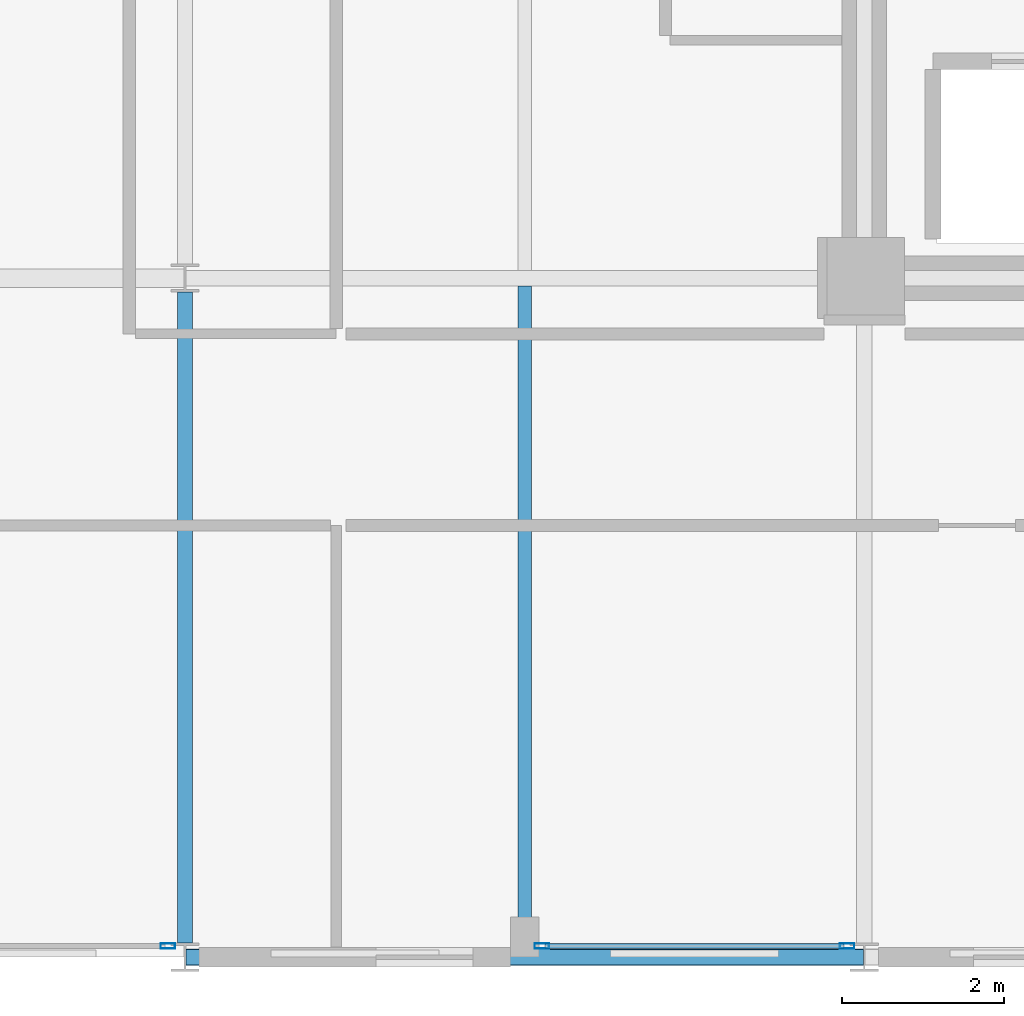
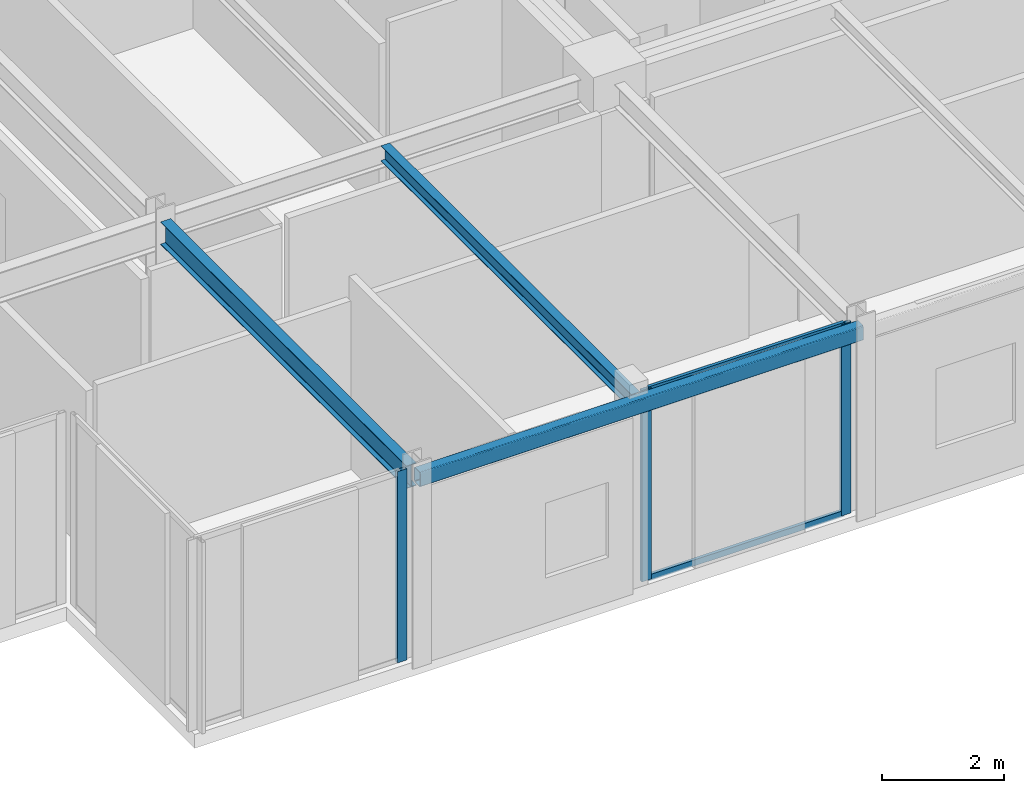
# One storey, part 6 of 29: 5 members, 3 beams, 2 elements without a shape of their own.
"""IFC4 building model written with IfcOpenShell, lengths in metres."""

import ifcopenshell
import ifcopenshell.guid

model = None  # the IFC model being written
_history = None  # IfcOwnerHistory: only IFC2X3 demands one
_inside = {}  # id of a spatial element -> (the spatial element, [elements in it])
_under = {}  # id of a project, library or spatial element -> (it, [spatial elements below it])
_declared = {}  # id of a project -> (the project, [libraries it declares])
_typed = {}  # id of a type object -> (the type object, [elements of that type])
_made_of = {}  # id of a material, layer set ... -> (it, [elements and type objects made of it])


def new_model(schema):
    """Start an empty IFC model of exactly this schema.

    Asked for "IFC4X3", IfcOpenShell would pick the latest addendum, in which some entities
    have other attributes; the version numbers below select the first issue.
    IFC2X3 requires an IfcOwnerHistory on every rooted entity: one is made here for all.
    """
    global model, _history
    if schema == "IFC4X3":
        model = ifcopenshell.file(schema_version=(4, 3, 0, 0))
    else:
        model = ifcopenshell.file(schema=schema)
    _inside.clear()
    _under.clear()
    _declared.clear()
    _typed.clear()
    _made_of.clear()
    _history = None
    if model.schema == "IFC2X3":
        org = make("IfcOrganization", Name="unknown")
        user = make(
            "IfcPersonAndOrganization",
            ThePerson=make("IfcPerson", FamilyName="unknown"),
            TheOrganization=org,
        )
        app = make(
            "IfcApplication",
            ApplicationDeveloper=org,
            Version="unknown",
            ApplicationFullName="unknown",
            ApplicationIdentifier="unknown",
        )
        _history = make(
            "IfcOwnerHistory",
            OwningUser=user,
            OwningApplication=app,
            ChangeAction="ADDED",
            CreationDate=0,
        )
    return model


def make(cls, **values):
    """One entity of the class cls with the attributes given. An attribute that is None is left unset."""
    return model.create_entity(
        cls, **{name: value for name, value in values.items() if value is not None}
    )


def rooted(cls, **values):
    """An entity with a GlobalId (a new one), such as an element, a storey or a relation."""
    return make(cls, GlobalId=ifcopenshell.guid.new(), OwnerHistory=_history, **values)


def si_unit(unit_type, name, prefix=None):
    """IfcSIUnit, for example si_unit("LENGTHUNIT", "METRE", prefix="MILLI")."""
    return make("IfcSIUnit", UnitType=unit_type, Prefix=prefix, Name=name)


def assignment(units):
    """IfcUnitAssignment: the units of a project."""
    return None if units is None else make("IfcUnitAssignment", Units=units)


def point(xyz):
    """IfcCartesianPoint."""
    return None if xyz is None else make("IfcCartesianPoint", Coordinates=xyz)


def direction(xyz):
    """IfcDirection."""
    return None if xyz is None else make("IfcDirection", DirectionRatios=xyz)


def frame(location, z_axis=None, x_axis=None):
    """IfcAxis2Placement3D, a coordinate frame: its origin and axes. An axis left out is left unset."""
    return make(
        "IfcAxis2Placement3D",
        Location=point(location),
        Axis=direction(z_axis),
        RefDirection=direction(x_axis),
    )


def frame_2d(location, x_axis=None):
    """IfcAxis2Placement2D, a coordinate frame in the plane: its origin and x axis."""
    return make(
        "IfcAxis2Placement2D", Location=point(location), RefDirection=direction(x_axis)
    )


def origin():
    """The frame at (0, 0, 0) with its axes left unset."""
    return frame((0.0, 0.0, 0.0))


def origin_2d():
    """The frame at (0, 0) in the plane with its x axis left unset."""
    return frame_2d((0.0, 0.0))


def place(relative_to, where):
    """IfcLocalPlacement: puts the frame where relative to a parent placement (None: the world)."""
    return make(
        "IfcLocalPlacement", PlacementRelTo=relative_to, RelativePlacement=where
    )


def context(
    kind, dimensions, precision=None, world=None, true_north=None, identifier=None
):
    """IfcGeometricRepresentationContext, for example the 3D "Model" context."""
    return make(
        "IfcGeometricRepresentationContext",
        ContextIdentifier=identifier,
        ContextType=kind,
        CoordinateSpaceDimension=dimensions,
        Precision=precision,
        WorldCoordinateSystem=world,
        TrueNorth=true_north,
    )


def subcontext(parent, identifier, kind, view, scale=None):
    """IfcGeometricRepresentationSubContext, for example "Body" below "Model"."""
    return make(
        "IfcGeometricRepresentationSubContext",
        ContextIdentifier=identifier,
        ContextType=kind,
        ParentContext=parent,
        TargetScale=scale,
        TargetView=view,
    )


def project(units=None, contexts=None):
    """IfcProject with its units and contexts."""
    return rooted(
        "IfcProject",
        Name="project",
        RepresentationContexts=contexts,
        UnitsInContext=assignment(units),
    )


def spatial(cls, under=None, at=None, **own):
    """A site, building, storey or space (cls), placed at a placement, below another one or the project."""
    s = rooted(cls, ObjectPlacement=at, **own)
    if under is not None:
        _under.setdefault(under.id(), (under, []))[1].append(s)
    return s


def profile(cls, at=None, kind="AREA", **sizes):
    """A parametric profile (cls). Its sizes go by their IFC names, for example OverallWidth=200.0."""
    return make(cls, ProfileType=kind, Position=at, **sizes)


def hollow_rectangle(**sizes):
    """IfcRectangleHollowProfileDef."""
    return profile("IfcRectangleHollowProfileDef", **sizes)


def i_section(**sizes):
    """IfcIShapeProfileDef."""
    return profile("IfcIShapeProfileDef", **sizes)


def extrude(swept, where, along, depth):
    """IfcExtrudedAreaSolid: the profile swept, set in the frame where, extruded along a direction by depth."""
    return make(
        "IfcExtrudedAreaSolid",
        SweptArea=swept,
        Position=where,
        ExtrudedDirection=direction(along),
        Depth=depth,
    )


def shape(context_of_items, identifier, shape_type, items):
    """IfcShapeRepresentation: the items that make up one representation, for example the "Body"."""
    return make(
        "IfcShapeRepresentation",
        ContextOfItems=context_of_items,
        RepresentationIdentifier=identifier,
        RepresentationType=shape_type,
        Items=items,
    )


def material(Name=None, Category=None):
    """IfcMaterial."""
    return make("IfcMaterial", Name=Name, Category=Category)


def layer(
    of_material, thickness, ventilated=None, Name=None, Category=None, Priority=None
):
    """IfcMaterialLayer: one layer of a wall or slab, of a material (None: an air gap)."""
    return make(
        "IfcMaterialLayer",
        Material=of_material,
        LayerThickness=thickness,
        IsVentilated=ventilated,
        Name=Name,
        Category=Category,
        Priority=Priority,
    )


def layer_set(layers, Name=None):
    """IfcMaterialLayerSet."""
    return make("IfcMaterialLayerSet", MaterialLayers=layers, LayerSetName=Name)


def material_profile(
    of_material, cross_section, Name=None, Category=None, Priority=None
):
    """IfcMaterialProfile: a cross section and its material."""
    return make(
        "IfcMaterialProfile",
        Name=Name,
        Material=of_material,
        Profile=cross_section,
        Priority=Priority,
        Category=Category,
    )


def profile_set(profiles, Name=None, composite=None):
    """IfcMaterialProfileSet."""
    return make(
        "IfcMaterialProfileSet",
        Name=Name,
        MaterialProfiles=profiles,
        CompositeProfile=composite,
    )


def made_of(thing, what):
    """Note that an element or type object is made of a material, layer set ...; save() writes the relation."""
    if what is not None:
        _made_of.setdefault(what.id(), (what, []))[1].append(thing)
    return thing


def type_object(cls, material=None, **own):
    """A type object (cls), such as IfcWallType, which elements share."""
    return made_of(rooted(cls, **own), material)


def element(
    cls,
    number,
    at=None,
    inside=None,
    cuts=None,
    type_object=None,
    material=None,
    context=None,
    identifier="Body",
    shape_type=None,
    held_by="IfcProductDefinitionShape",
    body=None,
    shapes=None,
    **own,
):
    """One element of the class cls, such as IfcWall. Its Tag is "e" and its number.

    at: its placement. inside: the storey or other place that contains it. cuts: it is an
    opening in that element (IfcRelVoidsElement). A single representation is given by context,
    identifier, shape_type and body (its items); several are given by shapes. held_by: the class
    of the entity that holds the representations. save() writes the other relations.
    """
    e = rooted(cls, Tag="e%d" % number, ObjectPlacement=at, **own)
    if body is not None:
        shapes = [shape(context, identifier, shape_type, body)]
    if shapes is not None:
        e.Representation = make(held_by, Representations=shapes)
    if inside is not None:
        _inside.setdefault(inside.id(), (inside, []))[1].append(e)
    if cuts is not None:
        rooted(
            "IfcRelVoidsElement", RelatingBuildingElement=cuts, RelatedOpeningElement=e
        )
    if type_object is not None:
        _typed.setdefault(type_object.id(), (type_object, []))[1].append(e)
    return made_of(e, material)


def aggregate(whole, parts):
    """IfcRelAggregates: a whole, such as a stair, and the parts it consists of."""
    return rooted("IfcRelAggregates", RelatingObject=whole, RelatedObjects=parts)


def save(model, path):
    """Write the relations noted so far, then the file.

    IfcRelAggregates (storeys below a building ...), IfcRelContainedInSpatialStructure (elements
    in a storey), IfcRelDefinesByType, IfcRelAssociatesMaterial and IfcRelDeclares: one each for
    every whole, place, type object, material and project.
    """
    for whole, parts in _under.values():
        aggregate(whole, parts)
    for where, things in _inside.values():
        rooted(
            "IfcRelContainedInSpatialStructure",
            RelatedElements=things,
            RelatingStructure=where,
        )
    for kind, things in _typed.values():
        rooted("IfcRelDefinesByType", RelatedObjects=things, RelatingType=kind)
    for what, things in _made_of.values():
        rooted("IfcRelAssociatesMaterial", RelatedObjects=things, RelatingMaterial=what)
    for by, libraries in _declared.values():
        rooted("IfcRelDeclares", RelatingContext=by, RelatedDefinitions=libraries)
    model.write(path)


model = new_model("IFC4")

# Units and contexts
model_context = context("Model", 3, precision=1e-05, world=origin(), true_north=direction((0.0, 1.0)))
body_context = subcontext(model_context, "Body", "Model", "MODEL_VIEW")
ifc_project = project(units=[si_unit("LENGTHUNIT", "METRE"), si_unit("AREAUNIT", "SQUARE_METRE"), si_unit("VOLUMEUNIT", "CUBIC_METRE"), si_unit("PLANEANGLEUNIT", "RADIAN"), si_unit("MASSUNIT", "GRAM", prefix="KILO")], contexts=[model_context])

# Site, building, storey
site_placement = place(None, origin())
site = spatial("IfcSite", under=ifc_project, at=site_placement, CompositionType="ELEMENT")
building_placement = place(site_placement, origin())
building = spatial("IfcBuilding", under=site, at=building_placement, Name="Nerrivon Quay Data Exchange", CompositionType="ELEMENT")
storey_placement = place(building_placement, frame((0.0, 0.0, 175.5)))
storey = spatial("IfcBuildingStorey", under=building, at=storey_placement, Name="L41", CompositionType="ELEMENT", Elevation=175.5)

# Beams
ifc_material_1 = material(Name="Steel Grade 350", Category="steel")
ifc_material_profile_1 = material_profile(ifc_material_1, i_section(OverallWidth=0.18994140625, OverallDepth=0.4541015625, WebThickness=0.008544921875, FlangeThickness=0.0126953125, FilletRadius=0.011474609375, at=origin_2d()), Name="460UB67.1")
ifc_profile_set_1 = profile_set([ifc_material_profile_1], Name="Steel Grade 350")
beam_type_1 = type_object("IfcBeamType", Name="BM-G6-460UB67", PredefinedType="BEAM", material=ifc_profile_set_1)
beam_1_placement = place(storey_placement, frame((8.39990234375, 0.175048828125, 3.597900390625), z_axis=(0.0, 1.0, 0.0), x_axis=(-1.0, 0.0, 0.0)))
element("IfcBeam", 1, at=beam_1_placement, inside=storey, type_object=beam_type_1, Name="L41 NS Girder X=8.4 (0.0..8.4)", PredefinedType="BEAM", context=body_context, shape_type="SweptSolid", body=[
    extrude(i_section(OverallWidth=0.18994140625, OverallDepth=0.4541015625, WebThickness=0.008544921875, FlangeThickness=0.0126953125, FilletRadius=0.011474609375, at=origin_2d()), origin(), (0.0, 0.0, 1.0), 8.050048828125),
])
ifc_material_profile_2 = material_profile(ifc_material_1, i_section(OverallWidth=0.166015625, OverallDepth=0.306884765625, WebThickness=0.006591796875, FlangeThickness=0.01171875, FilletRadius=0.011474609375, at=origin_2d()), Name="310UB46.2")
ifc_profile_set_2 = profile_set([ifc_material_profile_2], Name="Steel Grade 350")
beam_type_2 = type_object("IfcBeamType", Name="BM-J5-310UB46", PredefinedType="JOIST", material=ifc_profile_set_2)
beam_2_placement = place(storey_placement, frame((12.60009765625, 0.10009765625, 3.67138671875), z_axis=(0.0, 1.0, 0.0), x_axis=(-1.0, 0.0, 0.0)))
element("IfcBeam", 2, at=beam_2_placement, inside=storey, type_object=beam_type_2, Name="L41 Secondary Joist X=12.6 (0.0..8.4)", PredefinedType="JOIST", context=body_context, shape_type="SweptSolid", body=[
    extrude(i_section(OverallWidth=0.166015625, OverallDepth=0.306884765625, WebThickness=0.006591796875, FlangeThickness=0.01171875, FilletRadius=0.011474609375, at=origin_2d()), origin(), (0.0, 0.0, 1.0), 8.204345703125),
])
ifc_material_2 = material(Name="Steel Grade C350L0 (350 MPa)", Category="steel")
ifc_material_profile_3 = material_profile(ifc_material_2, hollow_rectangle(XDim=0.199951171875, YDim=0.300048828125, WallThickness=0.012451171875, InnerFilletRadius=0.018798828125, OuterFilletRadius=0.03125, at=origin_2d()), Name="300x200x12.5RHS")
ifc_profile_set_3 = profile_set([ifc_material_profile_3], Name="Steel Grade C350L0 (350 MPa)")
beam_type_3 = type_object("IfcBeamType", Name="BM-SP3-300x200RHS", PredefinedType="SPANDREL", material=ifc_profile_set_3)
beam_3_placement = place(storey_placement, frame((8.409912109375, 0.0, 3.675048828125), z_axis=(1.0, 0.0, 0.0), x_axis=(0.0, 1.0, 0.0)))
element("IfcBeam", 3, at=beam_3_placement, inside=storey, type_object=beam_type_3, Name="L41 EW Girder Y=0.0 (8.4..16.8)", PredefinedType="SPANDREL", context=body_context, shape_type="SweptSolid", body=[
    extrude(hollow_rectangle(XDim=0.199951171875, YDim=0.300048828125, WallThickness=0.012451171875, InnerFilletRadius=0.018798828125, OuterFilletRadius=0.03125, at=origin_2d()), origin(), (0.0, 0.0, 1.0), 8.380126953125),
])

# Curtain wall, members
ifc_material_3 = material(Name="Anodised aluminium 6063-T6", Category="aluminium")
ifc_layer = layer(ifc_material_3, 0.195068359375)
ifc_layer_set = layer_set([ifc_layer], Name="Anodised aluminium 6063-T6")
curtain_wall_type = type_object("IfcCurtainWallType", Name="CW-SYS-06", PredefinedType="NOTDEFINED", material=ifc_layer_set)
curtain_wall_1_placement = place(storey_placement, origin())
curtain_wall_1 = element("IfcCurtainWall", 4, at=curtain_wall_1_placement, inside=storey, type_object=curtain_wall_type, Name="L41 Unitised Curtain Wall 26", PredefinedType="NOTDEFINED")
ifc_material_profile_4 = material_profile(ifc_material_3, hollow_rectangle(XDim=0.06494140625, YDim=0.179931640625, WallThickness=0.00341796875, at=origin_2d()), Name="ALU-MULL-180x65")
ifc_profile_set_4 = profile_set([ifc_material_profile_4], Name="Anodised aluminium 6063-T6")
member_type_1 = type_object("IfcMemberType", Name="CWM-180x65", PredefinedType="MULLION", material=ifc_profile_set_4)
member_1_placement = place(storey_placement, frame((16.58740234375, 0.139892578125, 0.0), z_axis=(0.0, 0.0, 1.0), x_axis=(0.0, -1.0, 0.0)))
member_1 = element("IfcMember", 5, at=member_1_placement, type_object=member_type_1, Name="CW06 mullion 1", PredefinedType="MULLION", context=body_context, shape_type="SweptSolid", body=[
    extrude(hollow_rectangle(XDim=0.06494140625, YDim=0.179931640625, WallThickness=0.00341796875, at=origin_2d()), origin(), (0.0, 0.0, 1.0), 3.824951171875),
])
member_2_placement = place(storey_placement, frame((12.8125, 0.139892578125, 0.0), z_axis=(0.0, 0.0, 1.0), x_axis=(0.0, -1.0, 0.0)))
member_2 = element("IfcMember", 6, at=member_2_placement, type_object=member_type_1, Name="CW06 mullion 2", PredefinedType="MULLION", context=body_context, shape_type="SweptSolid", body=[
    extrude(hollow_rectangle(XDim=0.06494140625, YDim=0.179931640625, WallThickness=0.00341796875, at=origin_2d()), origin(), (0.0, 0.0, 1.0), 3.824951171875),
])

# Curtain wall, member
curtain_wall_2_placement = place(storey_placement, origin())
curtain_wall_2 = element("IfcCurtainWall", 7, at=curtain_wall_2_placement, inside=storey, type_object=curtain_wall_type, Name="L41 Unitised Curtain Wall 28", PredefinedType="NOTDEFINED")
member_3_placement = place(storey_placement, frame((8.1875, 0.139892578125, 0.0), z_axis=(0.0, 0.0, 1.0), x_axis=(0.0, -1.0, 0.0)))
member_3 = element("IfcMember", 8, at=member_3_placement, type_object=member_type_1, Name="CW06 mullion 1", PredefinedType="MULLION", context=body_context, shape_type="SweptSolid", body=[
    extrude(hollow_rectangle(XDim=0.06494140625, YDim=0.179931640625, WallThickness=0.00341796875, at=origin_2d()), origin(), (0.0, 0.0, 1.0), 3.824951171875),
])
aggregate(curtain_wall_2, [member_3])

# Member
ifc_material_profile_5 = material_profile(ifc_material_3, hollow_rectangle(XDim=0.06005859375, YDim=0.1201171875, WallThickness=0.003173828125, at=origin_2d()), Name="ALU-TRAN-120x60")
ifc_profile_set_5 = profile_set([ifc_material_profile_5], Name="Anodised aluminium 6063-T6")
member_type_2 = type_object("IfcMemberType", Name="CWT-120x60", PredefinedType="USERDEFINED", material=ifc_profile_set_5)
member_4_placement = place(storey_placement, frame((16.550048828125, 0.139892578125, 0.032470703125), z_axis=(-1.0, 0.0, 0.0), x_axis=(0.0, -1.0, 0.0)))
member_4 = element("IfcMember", 9, at=member_4_placement, type_object=member_type_2, Name="CW06 transom 1.1", ObjectType="TRANSOM", PredefinedType="USERDEFINED", context=body_context, shape_type="SweptSolid", body=[
    extrude(hollow_rectangle(XDim=0.06005859375, YDim=0.1201171875, WallThickness=0.003173828125, at=origin_2d()), origin(), (0.0, 0.0, 1.0), 3.699951171875),
])

member_5_placement = place(storey_placement, frame((16.550048828125, 0.139892578125, 3.79248046875), z_axis=(-1.0, 0.0, 0.0), x_axis=(0.0, -1.0, 0.0)))
member_5 = element("IfcMember", 10, at=member_5_placement, type_object=member_type_2, Name="CW06 transom 1.2", ObjectType="TRANSOM", PredefinedType="USERDEFINED", context=body_context, shape_type="SweptSolid", body=[
    extrude(hollow_rectangle(XDim=0.06005859375, YDim=0.1201171875, WallThickness=0.003173828125, at=origin_2d()), origin(), (0.0, 0.0, 1.0), 3.699951171875),
])

aggregate(curtain_wall_1, [member_1, member_2, member_4, member_5])

save(model, "model.ifc")
